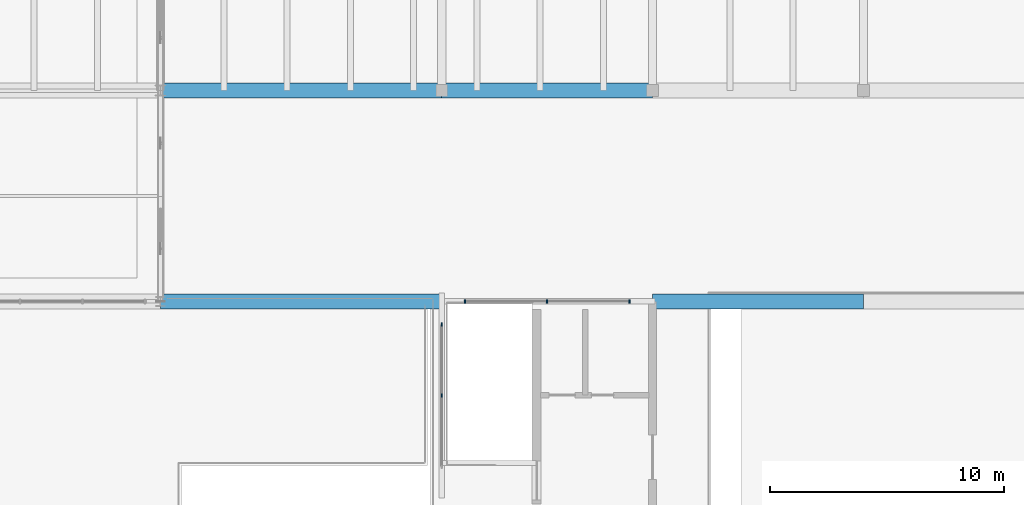
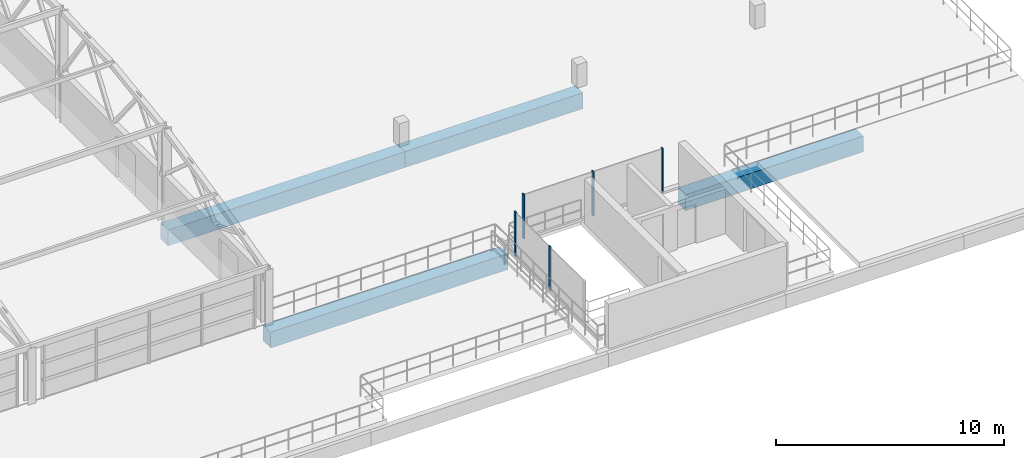
# One storey, part 22 of 50: 5 members, 4 beams, 2 elements without a shape of their own.
"""IFC4 building model written with IfcOpenShell, lengths in metres."""

from ifc_helpers import new_model, si_unit, derived_unit, direction, frame, origin, origin_2d, place, context, subcontext, project, spatial, rectangle, extrude, material, layer, layer_set, material_profile, profile_set, type_object, element, aggregate, save


model = new_model("IFC4")

# Units and contexts
model_context = context("Model", 3, precision=1e-05, world=origin(), true_north=direction((0.0, 1.0)))
body_context = subcontext(model_context, "Body", "Model", "MODEL_VIEW")
ifc_project = project(units=[si_unit("LENGTHUNIT", "METRE"), si_unit("AREAUNIT", "SQUARE_METRE"), si_unit("VOLUMEUNIT", "CUBIC_METRE"), si_unit("PLANEANGLEUNIT", "RADIAN"), si_unit("MASSUNIT", "GRAM", prefix="KILO"), si_unit("THERMODYNAMICTEMPERATUREUNIT", "KELVIN"), derived_unit("THERMALTRANSMITTANCEUNIT", [(si_unit("POWERUNIT", "WATT"), 1), (si_unit("AREAUNIT", "SQUARE_METRE"), -1), (si_unit("THERMODYNAMICTEMPERATUREUNIT", "KELVIN"), -1)])], contexts=[model_context])

# Site, building, storey
site_placement = place(None, origin())
site = spatial("IfcSite", under=ifc_project, at=site_placement, CompositionType="ELEMENT")
building_placement = place(site_placement, origin())
building = spatial("IfcBuilding", under=site, at=building_placement, Name="Haiyu Intermodal Mobility Hub", CompositionType="ELEMENT")
storey_placement = place(building_placement, frame((0.0, 0.0, 25.10009765625)))
storey = spatial("IfcBuildingStorey", under=building, at=storey_placement, Name="L06", CompositionType="ELEMENT", Elevation=25.10009765625)

# Beams
ifc_material_1 = material(Name="Precast concrete C50", Category="concrete")
ifc_material_profile_1 = material_profile(ifc_material_1, rectangle(XDim=0.64990234375, YDim=0.85009765625, at=origin_2d()), Name="PC650x850")
ifc_profile_set_1 = profile_set([ifc_material_profile_1], Name="Precast concrete C50")
beam_type = type_object("IfcBeamType", Name="BM-IT03", PredefinedType="T_BEAM", material=ifc_profile_set_1)
beam_1_placement = place(storey_placement, frame((108.0, 113.0, -0.705078125), z_axis=(1.0, 0.0, 0.0), x_axis=(0.0, 1.0, 0.0)))
element("IfcBeam", 1, at=beam_1_placement, inside=storey, type_object=beam_type, Name="BM-V4G-L06-018", PredefinedType="T_BEAM", context=body_context, shape_type="SweptSolid", body=[
    extrude(rectangle(XDim=0.64990234375, YDim=0.85009765625, at=origin_2d()), origin(), (0.0, 0.0, 1.0), 12.0),
])
beam_2_placement = place(storey_placement, frame((129.0, 113.0, -0.705078125), z_axis=(1.0, 0.0, 0.0), x_axis=(0.0, 1.0, 0.0)))
element("IfcBeam", 2, at=beam_2_placement, inside=storey, type_object=beam_type, Name="BM-V4G-L06-019", PredefinedType="T_BEAM", context=body_context, shape_type="SweptSolid", body=[
    extrude(rectangle(XDim=0.64990234375, YDim=0.85009765625, at=origin_2d()), origin(), (0.0, 0.0, 1.0), 9.0),
])
beam_3_placement = place(storey_placement, frame((108.0, 122.0, -0.705078125), z_axis=(1.0, 0.0, 0.0), x_axis=(0.0, 1.0, 0.0)))
element("IfcBeam", 3, at=beam_3_placement, inside=storey, type_object=beam_type, Name="BM-V4G-L06-029", PredefinedType="T_BEAM", context=body_context, shape_type="SweptSolid", body=[
    extrude(rectangle(XDim=0.64990234375, YDim=0.85009765625, at=origin_2d()), origin(), (0.0, 0.0, 1.0), 12.0),
])
beam_4_placement = place(storey_placement, frame((120.0, 122.0, -0.705078125), z_axis=(1.0, 0.0, 0.0), x_axis=(0.0, 1.0, 0.0)))
element("IfcBeam", 4, at=beam_4_placement, inside=storey, type_object=beam_type, Name="BM-V4G-L06-030", PredefinedType="T_BEAM", context=body_context, shape_type="SweptSolid", body=[
    extrude(rectangle(XDim=0.64990234375, YDim=0.85009765625, at=origin_2d()), origin(), (0.0, 0.0, 1.0), 9.0),
])

# Curtain wall, members
ifc_material_2 = material(Name="Low-e laminated insulating glass", Category="glass")
ifc_layer = layer(ifc_material_2, 0.199951171875)
ifc_layer_set = layer_set([ifc_layer], Name="Low-e laminated insulating glass")
curtain_wall_type = type_object("IfcCurtainWallType", Name="CW-CW03", PredefinedType="NOTDEFINED", material=ifc_layer_set)
curtain_wall_1_placement = place(storey_placement, origin())
curtain_wall_1 = element("IfcCurtainWall", 5, at=curtain_wall_1_placement, inside=storey, type_object=curtain_wall_type, Name="Curtain Wall CW-CPAR-C6-N", PredefinedType="NOTDEFINED")
ifc_material_3 = material(Name="Anodised aluminium 6063-T6", Category="aluminium")
ifc_material_profile_2 = material_profile(ifc_material_3, rectangle(XDim=0.06005859375, YDim=0.14501953125, at=origin_2d()), Name="ALU60x145")
ifc_profile_set_2 = profile_set([ifc_material_profile_2], Name="Anodised aluminium 6063-T6")
member_type = type_object("IfcMemberType", Name="CWM-ML03", PredefinedType="MULLION", material=ifc_profile_set_2)
member_1_placement = place(storey_placement, frame((128.010009765625, 113.0, 0.0), z_axis=(0.0, 0.0, 1.0), x_axis=(1.0, 0.0, 0.0)))
member_1 = element("IfcMember", 6, at=member_1_placement, type_object=member_type, Name="CW-CPAR-C6-N-ML01", PredefinedType="MULLION", context=body_context, shape_type="SweptSolid", body=[
    extrude(rectangle(XDim=0.06005859375, YDim=0.14501953125, at=origin_2d()), origin(), (0.0, 0.0, 1.0), 2.380859375),
])
member_2_placement = place(storey_placement, frame((124.5, 113.0, 0.0), z_axis=(0.0, 0.0, 1.0), x_axis=(1.0, 0.0, 0.0)))
member_2 = element("IfcMember", 7, at=member_2_placement, type_object=member_type, Name="CW-CPAR-C6-N-ML02", PredefinedType="MULLION", context=body_context, shape_type="SweptSolid", body=[
    extrude(rectangle(XDim=0.06005859375, YDim=0.14501953125, at=origin_2d()), origin(), (0.0, 0.0, 1.0), 2.380859375),
])
member_3_placement = place(storey_placement, frame((120.989990234375, 113.0, 0.0), z_axis=(0.0, 0.0, 1.0), x_axis=(1.0, 0.0, 0.0)))
member_3 = element("IfcMember", 8, at=member_3_placement, type_object=member_type, Name="CW-CPAR-C6-N-ML03", PredefinedType="MULLION", context=body_context, shape_type="SweptSolid", body=[
    extrude(rectangle(XDim=0.06005859375, YDim=0.14501953125, at=origin_2d()), origin(), (0.0, 0.0, 1.0), 2.380859375),
])
aggregate(curtain_wall_1, [member_1, member_2, member_3])

curtain_wall_2_placement = place(storey_placement, origin())
curtain_wall_2 = element("IfcCurtainWall", 9, at=curtain_wall_2_placement, inside=storey, type_object=curtain_wall_type, Name="Curtain Wall CW-CPAR-C6-W", PredefinedType="NOTDEFINED")
member_4_placement = place(storey_placement, frame((120.0, 112.010009765625, 0.0), z_axis=(0.0, 0.0, 1.0), x_axis=(1.0, 0.0, 0.0)))
member_4 = element("IfcMember", 10, at=member_4_placement, type_object=member_type, Name="CW-CPAR-C6-W-ML01", PredefinedType="MULLION", context=body_context, shape_type="SweptSolid", body=[
    extrude(rectangle(XDim=0.06005859375, YDim=0.14501953125, at=origin_2d()), origin(), (0.0, 0.0, 1.0), 2.380859375),
])
member_5_placement = place(storey_placement, frame((120.0, 108.97509765625, 0.0), z_axis=(0.0, 0.0, 1.0), x_axis=(1.0, 0.0, 0.0)))
member_5 = element("IfcMember", 11, at=member_5_placement, type_object=member_type, Name="CW-CPAR-C6-W-ML02", PredefinedType="MULLION", context=body_context, shape_type="SweptSolid", body=[
    extrude(rectangle(XDim=0.06005859375, YDim=0.14501953125, at=origin_2d()), origin(), (0.0, 0.0, 1.0), 2.380859375),
])
aggregate(curtain_wall_2, [member_4, member_5])

save(model, "model.ifc")
